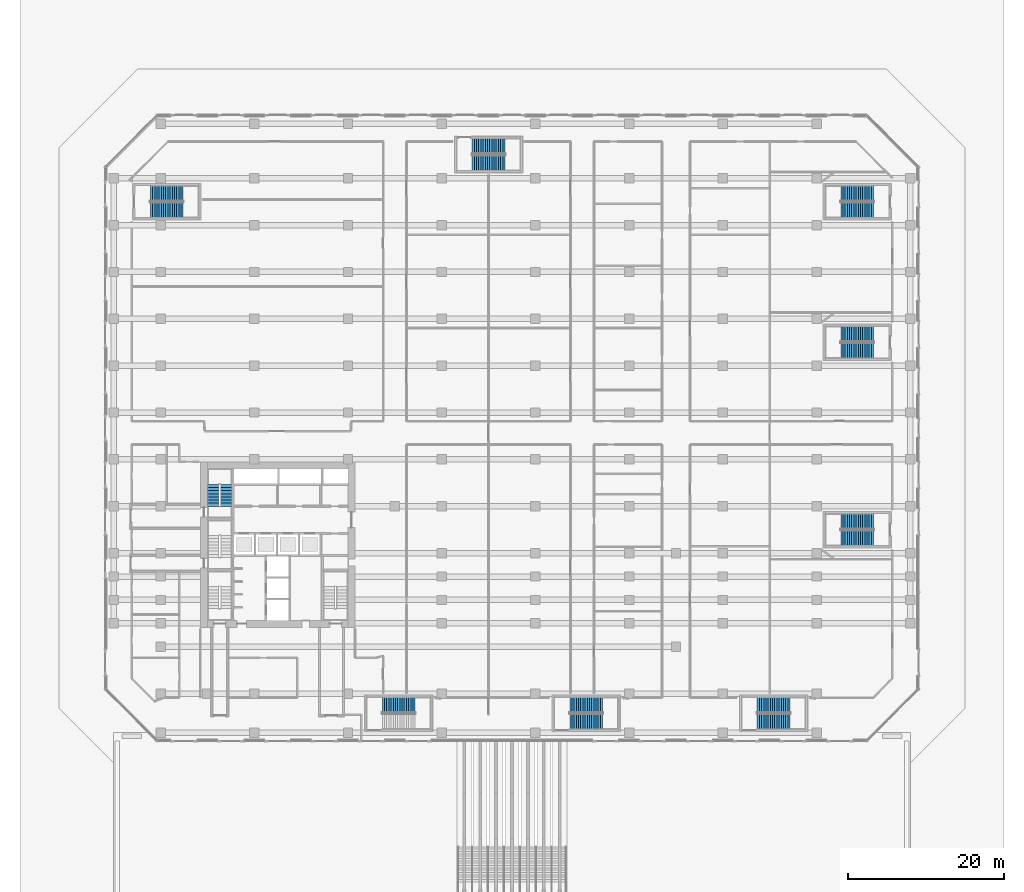
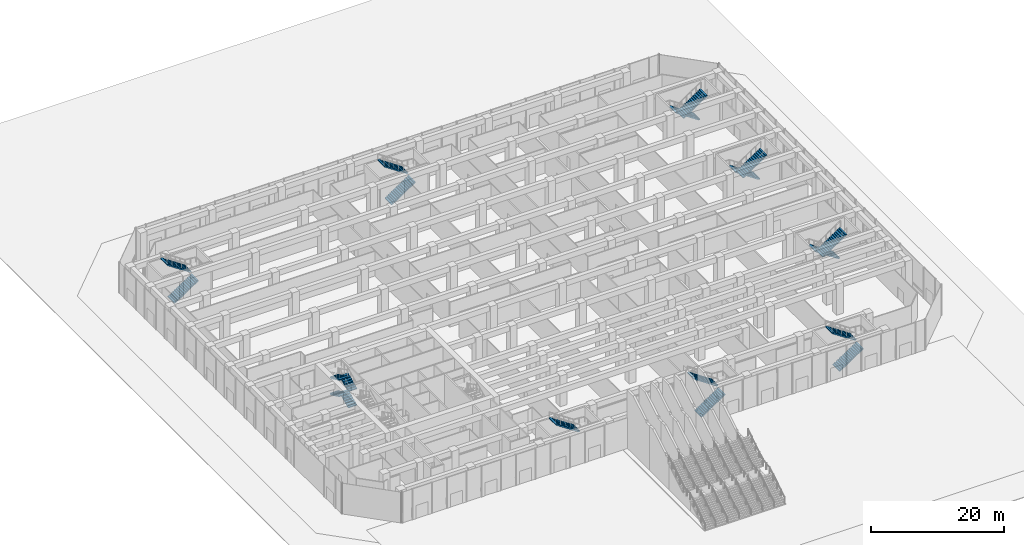
# One storey, part 26 of 32: 19 stair flights, 9 elements without a shape of their own.
"""IFC4 building model written with IfcOpenShell, lengths in metres."""

import ifcopenshell
import ifcopenshell.guid

model = None  # the IFC model being written
_history = None  # IfcOwnerHistory: only IFC2X3 demands one
_inside = {}  # id of a spatial element -> (the spatial element, [elements in it])
_under = {}  # id of a project, library or spatial element -> (it, [spatial elements below it])
_declared = {}  # id of a project -> (the project, [libraries it declares])
_typed = {}  # id of a type object -> (the type object, [elements of that type])
_made_of = {}  # id of a material, layer set ... -> (it, [elements and type objects made of it])


def new_model(schema):
    """Start an empty IFC model of exactly this schema.

    Asked for "IFC4X3", IfcOpenShell would pick the latest addendum, in which some entities
    have other attributes; the version numbers below select the first issue.
    IFC2X3 requires an IfcOwnerHistory on every rooted entity: one is made here for all.
    """
    global model, _history
    if schema == "IFC4X3":
        model = ifcopenshell.file(schema_version=(4, 3, 0, 0))
    else:
        model = ifcopenshell.file(schema=schema)
    _inside.clear()
    _under.clear()
    _declared.clear()
    _typed.clear()
    _made_of.clear()
    _history = None
    if model.schema == "IFC2X3":
        org = make("IfcOrganization", Name="unknown")
        user = make(
            "IfcPersonAndOrganization",
            ThePerson=make("IfcPerson", FamilyName="unknown"),
            TheOrganization=org,
        )
        app = make(
            "IfcApplication",
            ApplicationDeveloper=org,
            Version="unknown",
            ApplicationFullName="unknown",
            ApplicationIdentifier="unknown",
        )
        _history = make(
            "IfcOwnerHistory",
            OwningUser=user,
            OwningApplication=app,
            ChangeAction="ADDED",
            CreationDate=0,
        )
    return model


def make(cls, **values):
    """One entity of the class cls with the attributes given. An attribute that is None is left unset."""
    return model.create_entity(
        cls, **{name: value for name, value in values.items() if value is not None}
    )


def rooted(cls, **values):
    """An entity with a GlobalId (a new one), such as an element, a storey or a relation."""
    return make(cls, GlobalId=ifcopenshell.guid.new(), OwnerHistory=_history, **values)


def si_unit(unit_type, name, prefix=None):
    """IfcSIUnit, for example si_unit("LENGTHUNIT", "METRE", prefix="MILLI")."""
    return make("IfcSIUnit", UnitType=unit_type, Prefix=prefix, Name=name)


def assignment(units):
    """IfcUnitAssignment: the units of a project."""
    return None if units is None else make("IfcUnitAssignment", Units=units)


def point(xyz):
    """IfcCartesianPoint."""
    return None if xyz is None else make("IfcCartesianPoint", Coordinates=xyz)


def direction(xyz):
    """IfcDirection."""
    return None if xyz is None else make("IfcDirection", DirectionRatios=xyz)


def frame(location, z_axis=None, x_axis=None):
    """IfcAxis2Placement3D, a coordinate frame: its origin and axes. An axis left out is left unset."""
    return make(
        "IfcAxis2Placement3D",
        Location=point(location),
        Axis=direction(z_axis),
        RefDirection=direction(x_axis),
    )


def origin():
    """The frame at (0, 0, 0) with its axes left unset."""
    return frame((0.0, 0.0, 0.0))


def place(relative_to, where):
    """IfcLocalPlacement: puts the frame where relative to a parent placement (None: the world)."""
    return make(
        "IfcLocalPlacement", PlacementRelTo=relative_to, RelativePlacement=where
    )


def context(
    kind, dimensions, precision=None, world=None, true_north=None, identifier=None
):
    """IfcGeometricRepresentationContext, for example the 3D "Model" context."""
    return make(
        "IfcGeometricRepresentationContext",
        ContextIdentifier=identifier,
        ContextType=kind,
        CoordinateSpaceDimension=dimensions,
        Precision=precision,
        WorldCoordinateSystem=world,
        TrueNorth=true_north,
    )


def subcontext(parent, identifier, kind, view, scale=None):
    """IfcGeometricRepresentationSubContext, for example "Body" below "Model"."""
    return make(
        "IfcGeometricRepresentationSubContext",
        ContextIdentifier=identifier,
        ContextType=kind,
        ParentContext=parent,
        TargetScale=scale,
        TargetView=view,
    )


def project(units=None, contexts=None):
    """IfcProject with its units and contexts."""
    return rooted(
        "IfcProject",
        Name="project",
        RepresentationContexts=contexts,
        UnitsInContext=assignment(units),
    )


def spatial(cls, under=None, at=None, **own):
    """A site, building, storey or space (cls), placed at a placement, below another one or the project."""
    s = rooted(cls, ObjectPlacement=at, **own)
    if under is not None:
        _under.setdefault(under.id(), (under, []))[1].append(s)
    return s


def polyline(points):
    """IfcPolyline through the points."""
    return make("IfcPolyline", Points=[point(p) for p in points])


def outline(outer, holes=None, kind="AREA"):
    """IfcArbitraryClosedProfileDef: a profile drawn as a closed curve; with holes, ...WithVoids."""
    if holes is None:
        return make("IfcArbitraryClosedProfileDef", ProfileType=kind, OuterCurve=outer)
    return make(
        "IfcArbitraryProfileDefWithVoids",
        ProfileType=kind,
        OuterCurve=outer,
        InnerCurves=holes,
    )


def extrude(swept, where, along, depth):
    """IfcExtrudedAreaSolid: the profile swept, set in the frame where, extruded along a direction by depth."""
    return make(
        "IfcExtrudedAreaSolid",
        SweptArea=swept,
        Position=where,
        ExtrudedDirection=direction(along),
        Depth=depth,
    )


def shape(context_of_items, identifier, shape_type, items):
    """IfcShapeRepresentation: the items that make up one representation, for example the "Body"."""
    return make(
        "IfcShapeRepresentation",
        ContextOfItems=context_of_items,
        RepresentationIdentifier=identifier,
        RepresentationType=shape_type,
        Items=items,
    )


def material(Name=None, Category=None):
    """IfcMaterial."""
    return make("IfcMaterial", Name=Name, Category=Category)


def made_of(thing, what):
    """Note that an element or type object is made of a material, layer set ...; save() writes the relation."""
    if what is not None:
        _made_of.setdefault(what.id(), (what, []))[1].append(thing)
    return thing


def type_object(cls, material=None, **own):
    """A type object (cls), such as IfcWallType, which elements share."""
    return made_of(rooted(cls, **own), material)


def element(
    cls,
    number,
    at=None,
    inside=None,
    cuts=None,
    type_object=None,
    material=None,
    context=None,
    identifier="Body",
    shape_type=None,
    held_by="IfcProductDefinitionShape",
    body=None,
    shapes=None,
    **own,
):
    """One element of the class cls, such as IfcWall. Its Tag is "e" and its number.

    at: its placement. inside: the storey or other place that contains it. cuts: it is an
    opening in that element (IfcRelVoidsElement). A single representation is given by context,
    identifier, shape_type and body (its items); several are given by shapes. held_by: the class
    of the entity that holds the representations. save() writes the other relations.
    """
    e = rooted(cls, Tag="e%d" % number, ObjectPlacement=at, **own)
    if body is not None:
        shapes = [shape(context, identifier, shape_type, body)]
    if shapes is not None:
        e.Representation = make(held_by, Representations=shapes)
    if inside is not None:
        _inside.setdefault(inside.id(), (inside, []))[1].append(e)
    if cuts is not None:
        rooted(
            "IfcRelVoidsElement", RelatingBuildingElement=cuts, RelatedOpeningElement=e
        )
    if type_object is not None:
        _typed.setdefault(type_object.id(), (type_object, []))[1].append(e)
    return made_of(e, material)


def aggregate(whole, parts):
    """IfcRelAggregates: a whole, such as a stair, and the parts it consists of."""
    return rooted("IfcRelAggregates", RelatingObject=whole, RelatedObjects=parts)


def save(model, path):
    """Write the relations noted so far, then the file.

    IfcRelAggregates (storeys below a building ...), IfcRelContainedInSpatialStructure (elements
    in a storey), IfcRelDefinesByType, IfcRelAssociatesMaterial and IfcRelDeclares: one each for
    every whole, place, type object, material and project.
    """
    for whole, parts in _under.values():
        aggregate(whole, parts)
    for where, things in _inside.values():
        rooted(
            "IfcRelContainedInSpatialStructure",
            RelatedElements=things,
            RelatingStructure=where,
        )
    for kind, things in _typed.values():
        rooted("IfcRelDefinesByType", RelatedObjects=things, RelatingType=kind)
    for what, things in _made_of.values():
        rooted("IfcRelAssociatesMaterial", RelatedObjects=things, RelatingMaterial=what)
    for by, libraries in _declared.values():
        rooted("IfcRelDeclares", RelatingContext=by, RelatedDefinitions=libraries)
    model.write(path)


model = new_model("IFC4")

# Units and contexts
model_context = context("Model", 3, precision=1e-05, world=origin(), true_north=direction((0.0, 1.0)))
body_context = subcontext(model_context, "Body", "Model", "MODEL_VIEW")
ifc_project = project(units=[si_unit("LENGTHUNIT", "METRE"), si_unit("AREAUNIT", "SQUARE_METRE"), si_unit("VOLUMEUNIT", "CUBIC_METRE"), si_unit("PLANEANGLEUNIT", "RADIAN"), si_unit("MASSUNIT", "GRAM", prefix="KILO")], contexts=[model_context])

# Site, building, storey
site_placement = place(None, origin())
site = spatial("IfcSite", under=ifc_project, at=site_placement, CompositionType="ELEMENT")
building_placement = place(site_placement, origin())
building = spatial("IfcBuilding", under=site, at=building_placement, Name="Welwitschia Terrace Campus", CompositionType="ELEMENT")
storey_placement = place(building_placement, origin())
storey = spatial("IfcBuildingStorey", under=building, at=storey_placement, Name="L00", CompositionType="ELEMENT", Elevation=0.0)

# Stair, stair flights
ifc_material_1 = material(Name="Concrete C40/50", Category="concrete")
stair_type_1 = type_object("IfcStairType", Name="Stair 32R 188 W1500", PredefinedType="HALF_TURN_STAIR", material=ifc_material_1)
stair_1_placement = place(storey_placement, origin())
stair_1 = element("IfcStair", 1, at=stair_1_placement, inside=storey, type_object=stair_type_1, Name="L00 Exit stair S4", PredefinedType="HALF_TURN_STAIR")
ifc_material_2 = material(Name="Concrete C40/50", Category="concrete")
stair_flight_type_1 = type_object("IfcStairFlightType", Name="Stair flight 32R 188 W1500", PredefinedType="STRAIGHT", material=ifc_material_2)
stair_flight_1_placement = place(storey_placement, frame((8.39990234375, 20.0, 0.0), z_axis=(0.0, 0.0, 1.0), x_axis=(0.0, 1.0, 0.0)))
stair_flight_1 = element("IfcStairFlight", 2, at=stair_flight_1_placement, type_object=stair_flight_type_1, Name="S4 flight 1", NumberOfRisers=8, NumberOfTreads=7, PredefinedType="STRAIGHT", RiserHeight=0.1875, TreadLength=0.4, context=body_context, shape_type="SweptSolid", body=[
    extrude(outline(polyline([(0.0, 0.0), (0.0, 0.1875), (0.39990234375, 0.1875), (0.39990234375, 0.375), (0.800048828125, 0.375), (0.800048828125, 0.5625), (1.199951171875, 0.5625), (1.199951171875, 0.75), (1.60009765625, 0.75), (1.60009765625, 0.9375), (2.0, 0.9375), (2.0, 1.125), (2.39990234375, 1.125), (2.39990234375, 1.3125), (2.800048828125, 1.3125), (2.800048828125, 1.5), (2.800048828125, 1.14697265625), (0.353271484375, 0.0), (0.0, 0.0)])), frame((0.0, 0.75, 0.0), z_axis=(0.0, -1.0, 0.0), x_axis=(1.0, 0.0, 0.0)), (0.0, 0.0, 1.0), 1.5),
])
stair_flight_2_placement = place(storey_placement, frame((6.75, 22.800048828125, 1.5), z_axis=(0.0, 0.0, 1.0), x_axis=(0.0, -1.0, 0.0)))
stair_flight_2 = element("IfcStairFlight", 3, at=stair_flight_2_placement, type_object=stair_flight_type_1, Name="S4 flight 2", NumberOfRisers=8, NumberOfTreads=7, PredefinedType="STRAIGHT", RiserHeight=0.1875, TreadLength=0.4, context=body_context, shape_type="SweptSolid", body=[
    extrude(outline(polyline([(0.0, 0.0), (0.0, 0.1875), (0.39990234375, 0.1875), (0.39990234375, 0.375), (0.800048828125, 0.375), (0.800048828125, 0.5625), (1.199951171875, 0.5625), (1.199951171875, 0.75), (1.60009765625, 0.75), (1.60009765625, 0.9375), (2.0, 0.9375), (2.0, 1.125), (2.39990234375, 1.125), (2.39990234375, 1.3125), (2.800048828125, 1.3125), (2.800048828125, 1.5), (2.800048828125, 1.14697265625), (0.353271484375, 0.0), (0.0, 0.0)])), frame((0.0, 0.75, 0.0), z_axis=(0.0, -1.0, 0.0), x_axis=(1.0, 0.0, 0.0)), (0.0, 0.0, 1.0), 1.5),
])
stair_flight_3_placement = place(storey_placement, frame((8.39990234375, 20.0, 3.0), z_axis=(0.0, 0.0, 1.0), x_axis=(0.0, 1.0, 0.0)))
stair_flight_3 = element("IfcStairFlight", 4, at=stair_flight_3_placement, type_object=stair_flight_type_1, Name="S4 flight 3", NumberOfRisers=8, NumberOfTreads=7, PredefinedType="STRAIGHT", RiserHeight=0.1875, TreadLength=0.4, context=body_context, shape_type="SweptSolid", body=[
    extrude(outline(polyline([(0.0, 0.0), (0.0, 0.1875), (0.39990234375, 0.1875), (0.39990234375, 0.375), (0.800048828125, 0.375), (0.800048828125, 0.5625), (1.199951171875, 0.5625), (1.199951171875, 0.75), (1.60009765625, 0.75), (1.60009765625, 0.9375), (2.0, 0.9375), (2.0, 1.125), (2.39990234375, 1.125), (2.39990234375, 1.3125), (2.800048828125, 1.3125), (2.800048828125, 1.5), (2.800048828125, 1.14697265625), (0.353271484375, 0.0), (0.0, 0.0)])), frame((0.0, 0.75, 0.0), z_axis=(0.0, -1.0, 0.0), x_axis=(1.0, 0.0, 0.0)), (0.0, 0.0, 1.0), 1.5),
])
stair_flight_4_placement = place(storey_placement, frame((6.75, 22.800048828125, 4.5), z_axis=(0.0, 0.0, 1.0), x_axis=(0.0, -1.0, 0.0)))
stair_flight_4 = element("IfcStairFlight", 5, at=stair_flight_4_placement, type_object=stair_flight_type_1, Name="S4 flight 4", NumberOfRisers=8, NumberOfTreads=7, PredefinedType="STRAIGHT", RiserHeight=0.1875, TreadLength=0.4, context=body_context, shape_type="SweptSolid", body=[
    extrude(outline(polyline([(0.0, 0.0), (0.0, 0.1875), (0.39990234375, 0.1875), (0.39990234375, 0.375), (0.800048828125, 0.375), (0.800048828125, 0.5625), (1.199951171875, 0.5625), (1.199951171875, 0.75), (1.60009765625, 0.75), (1.60009765625, 0.9375), (2.0, 0.9375), (2.0, 1.125), (2.39990234375, 1.125), (2.39990234375, 1.3125), (2.800048828125, 1.3125), (2.800048828125, 1.5), (2.800048828125, 1.14697265625), (0.353271484375, 0.0), (0.0, 0.0)])), frame((0.0, 0.75, 0.0), z_axis=(0.0, -1.0, 0.0), x_axis=(1.0, 0.0, 0.0)), (0.0, 0.0, 1.0), 1.5),
])
aggregate(stair_1, [stair_flight_1, stair_flight_2, stair_flight_3, stair_flight_4])

# Stair, stair flight
ifc_material_3 = material(Name="Concrete C40/50", Category="concrete")
stair_type_2 = type_object("IfcStairType", Name="Stair 32R 188 W2000", PredefinedType="HALF_TURN_STAIR", material=ifc_material_3)
stair_2_placement = place(storey_placement, origin())
stair_2 = element("IfcStair", 6, at=stair_2_placement, inside=storey, type_object=stair_type_2, Name="L00 Podium stair P1", PredefinedType="HALF_TURN_STAIR")
ifc_material_4 = material(Name="Concrete C40/50", Category="concrete")
stair_flight_type_2 = type_object("IfcStairFlightType", Name="Stair flight 32R 188 W2000", PredefinedType="STRAIGHT", material=ifc_material_4)
stair_flight_5_placement = place(storey_placement, frame((32.60009765625, -5.425048828125, 3.0), z_axis=(0.0, 0.0, 1.0), x_axis=(-1.0, 0.0, 0.0)))
stair_flight_5 = element("IfcStairFlight", 7, at=stair_flight_5_placement, type_object=stair_flight_type_2, Name="P1 flight 2", NumberOfRisers=16, NumberOfTreads=15, PredefinedType="STRAIGHT", RiserHeight=0.1875, TreadLength=0.28, context=body_context, shape_type="SweptSolid", body=[
    extrude(outline(polyline([(0.0, 0.0), (0.0, 0.1875), (0.280029296875, 0.1875), (0.280029296875, 0.375), (0.56005859375, 0.375), (0.56005859375, 0.5625), (0.840087890625, 0.5625), (0.840087890625, 0.75), (1.1201171875, 0.75), (1.1201171875, 0.9375), (1.39990234375, 0.9375), (1.39990234375, 1.125), (1.679931640625, 1.125), (1.679931640625, 1.3125), (1.9599609375, 1.3125), (1.9599609375, 1.5), (2.239990234375, 1.5), (2.239990234375, 1.6875), (2.52001953125, 1.6875), (2.52001953125, 1.875), (2.800048828125, 1.875), (2.800048828125, 2.0625), (3.080078125, 2.0625), (3.080078125, 2.25), (3.360107421875, 2.25), (3.360107421875, 2.4375), (3.639892578125, 2.4375), (3.639892578125, 2.625), (3.919921875, 2.625), (3.919921875, 2.8125), (4.199951171875, 2.8125), (4.199951171875, 3.0), (4.199951171875, 2.632080078125), (0.26953125, 0.0), (0.0, 0.0)])), frame((0.0, 1.0, 0.0), z_axis=(0.0, -1.0, 0.0), x_axis=(1.0, 0.0, 0.0)), (0.0, 0.0, 1.0), 2.0),
])
aggregate(stair_2, [stair_flight_5])

# Stair, stair flights
stair_3_placement = place(storey_placement, origin())
stair_3 = element("IfcStair", 8, at=stair_3_placement, inside=storey, type_object=stair_type_2, Name="L00 Podium stair P2", PredefinedType="HALF_TURN_STAIR")
stair_flight_6_placement = place(storey_placement, frame((52.39990234375, -7.574951171875, 0.0), z_axis=(0.0, 0.0, 1.0), x_axis=(1.0, 0.0, 0.0)))
stair_flight_6 = element("IfcStairFlight", 9, at=stair_flight_6_placement, type_object=stair_flight_type_2, Name="P2 flight 1", NumberOfRisers=16, NumberOfTreads=15, PredefinedType="STRAIGHT", RiserHeight=0.1875, TreadLength=0.28, context=body_context, shape_type="SweptSolid", body=[
    extrude(outline(polyline([(0.0, 0.0), (0.0, 0.1875), (0.280029296875, 0.1875), (0.280029296875, 0.375), (0.56005859375, 0.375), (0.56005859375, 0.5625), (0.840087890625, 0.5625), (0.840087890625, 0.75), (1.1201171875, 0.75), (1.1201171875, 0.9375), (1.39990234375, 0.9375), (1.39990234375, 1.125), (1.679931640625, 1.125), (1.679931640625, 1.3125), (1.9599609375, 1.3125), (1.9599609375, 1.5), (2.239990234375, 1.5), (2.239990234375, 1.6875), (2.52001953125, 1.6875), (2.52001953125, 1.875), (2.800048828125, 1.875), (2.800048828125, 2.0625), (3.080078125, 2.0625), (3.080078125, 2.25), (3.360107421875, 2.25), (3.360107421875, 2.4375), (3.639892578125, 2.4375), (3.639892578125, 2.625), (3.919921875, 2.625), (3.919921875, 2.8125), (4.199951171875, 2.8125), (4.199951171875, 3.0), (4.199951171875, 2.632080078125), (0.26953125, 0.0), (0.0, 0.0)])), frame((0.0, 1.0, 0.0), z_axis=(0.0, -1.0, 0.0), x_axis=(1.0, 0.0, 0.0)), (0.0, 0.0, 1.0), 2.0),
])
stair_flight_7_placement = place(storey_placement, frame((56.60009765625, -5.425048828125, 3.0), z_axis=(0.0, 0.0, 1.0), x_axis=(-1.0, 0.0, 0.0)))
stair_flight_7 = element("IfcStairFlight", 10, at=stair_flight_7_placement, type_object=stair_flight_type_2, Name="P2 flight 2", NumberOfRisers=16, NumberOfTreads=15, PredefinedType="STRAIGHT", RiserHeight=0.1875, TreadLength=0.28, context=body_context, shape_type="SweptSolid", body=[
    extrude(outline(polyline([(0.0, 0.0), (0.0, 0.1875), (0.280029296875, 0.1875), (0.280029296875, 0.375), (0.56005859375, 0.375), (0.56005859375, 0.5625), (0.840087890625, 0.5625), (0.840087890625, 0.75), (1.1201171875, 0.75), (1.1201171875, 0.9375), (1.39990234375, 0.9375), (1.39990234375, 1.125), (1.679931640625, 1.125), (1.679931640625, 1.3125), (1.9599609375, 1.3125), (1.9599609375, 1.5), (2.239990234375, 1.5), (2.239990234375, 1.6875), (2.52001953125, 1.6875), (2.52001953125, 1.875), (2.800048828125, 1.875), (2.800048828125, 2.0625), (3.080078125, 2.0625), (3.080078125, 2.25), (3.360107421875, 2.25), (3.360107421875, 2.4375), (3.639892578125, 2.4375), (3.639892578125, 2.625), (3.919921875, 2.625), (3.919921875, 2.8125), (4.199951171875, 2.8125), (4.199951171875, 3.0), (4.199951171875, 2.632080078125), (0.26953125, 0.0), (0.0, 0.0)])), frame((0.0, 1.0, 0.0), z_axis=(0.0, -1.0, 0.0), x_axis=(1.0, 0.0, 0.0)), (0.0, 0.0, 1.0), 2.0),
])
aggregate(stair_3, [stair_flight_6, stair_flight_7])

stair_4_placement = place(storey_placement, origin())
stair_4 = element("IfcStair", 11, at=stair_4_placement, inside=storey, type_object=stair_type_2, Name="L00 Podium stair P3", PredefinedType="HALF_TURN_STAIR")
stair_flight_8_placement = place(storey_placement, frame((91.300048828125, 60.074951171875, 0.0), z_axis=(0.0, 0.0, 1.0), x_axis=(-1.0, 0.0, 0.0)))
stair_flight_8 = element("IfcStairFlight", 12, at=stair_flight_8_placement, type_object=stair_flight_type_2, Name="P3 flight 1", NumberOfRisers=16, NumberOfTreads=15, PredefinedType="STRAIGHT", RiserHeight=0.1875, TreadLength=0.28, context=body_context, shape_type="SweptSolid", body=[
    extrude(outline(polyline([(0.0, 0.0), (0.0, 0.1875), (0.280029296875, 0.1875), (0.280029296875, 0.375), (0.56005859375, 0.375), (0.56005859375, 0.5625), (0.840087890625, 0.5625), (0.840087890625, 0.75), (1.1201171875, 0.75), (1.1201171875, 0.9375), (1.39990234375, 0.9375), (1.39990234375, 1.125), (1.679931640625, 1.125), (1.679931640625, 1.3125), (1.9599609375, 1.3125), (1.9599609375, 1.5), (2.239990234375, 1.5), (2.239990234375, 1.6875), (2.52001953125, 1.6875), (2.52001953125, 1.875), (2.800048828125, 1.875), (2.800048828125, 2.0625), (3.080078125, 2.0625), (3.080078125, 2.25), (3.360107421875, 2.25), (3.360107421875, 2.4375), (3.639892578125, 2.4375), (3.639892578125, 2.625), (3.919921875, 2.625), (3.919921875, 2.8125), (4.199951171875, 2.8125), (4.199951171875, 3.0), (4.199951171875, 2.632080078125), (0.26953125, 0.0), (0.0, 0.0)])), frame((0.0, 1.0, 0.0), z_axis=(0.0, -1.0, 0.0), x_axis=(1.0, 0.0, 0.0)), (0.0, 0.0, 1.0), 2.0),
])
stair_flight_9_placement = place(storey_placement, frame((87.10009765625, 57.925048828125, 3.0), z_axis=(0.0, 0.0, 1.0), x_axis=(1.0, 0.0, 0.0)))
stair_flight_9 = element("IfcStairFlight", 13, at=stair_flight_9_placement, type_object=stair_flight_type_2, Name="P3 flight 2", NumberOfRisers=16, NumberOfTreads=15, PredefinedType="STRAIGHT", RiserHeight=0.1875, TreadLength=0.28, context=body_context, shape_type="SweptSolid", body=[
    extrude(outline(polyline([(0.0, 0.0), (0.0, 0.1875), (0.280029296875, 0.1875), (0.280029296875, 0.375), (0.56005859375, 0.375), (0.56005859375, 0.5625), (0.840087890625, 0.5625), (0.840087890625, 0.75), (1.1201171875, 0.75), (1.1201171875, 0.9375), (1.39990234375, 0.9375), (1.39990234375, 1.125), (1.679931640625, 1.125), (1.679931640625, 1.3125), (1.9599609375, 1.3125), (1.9599609375, 1.5), (2.239990234375, 1.5), (2.239990234375, 1.6875), (2.52001953125, 1.6875), (2.52001953125, 1.875), (2.800048828125, 1.875), (2.800048828125, 2.0625), (3.080078125, 2.0625), (3.080078125, 2.25), (3.360107421875, 2.25), (3.360107421875, 2.4375), (3.639892578125, 2.4375), (3.639892578125, 2.625), (3.919921875, 2.625), (3.919921875, 2.8125), (4.199951171875, 2.8125), (4.199951171875, 3.0), (4.199951171875, 2.632080078125), (0.26953125, 0.0), (0.0, 0.0)])), frame((0.0, 1.0, 0.0), z_axis=(0.0, -1.0, 0.0), x_axis=(1.0, 0.0, 0.0)), (0.0, 0.0, 1.0), 2.0),
])
aggregate(stair_4, [stair_flight_8, stair_flight_9])

stair_5_placement = place(storey_placement, origin())
stair_5 = element("IfcStair", 14, at=stair_5_placement, inside=storey, type_object=stair_type_2, Name="L00 Podium stair P4", PredefinedType="HALF_TURN_STAIR")
stair_flight_10_placement = place(storey_placement, frame((-1.300048828125, 57.925048828125, 0.0), z_axis=(0.0, 0.0, 1.0), x_axis=(1.0, 0.0, 0.0)))
stair_flight_10 = element("IfcStairFlight", 15, at=stair_flight_10_placement, type_object=stair_flight_type_2, Name="P4 flight 1", NumberOfRisers=16, NumberOfTreads=15, PredefinedType="STRAIGHT", RiserHeight=0.1875, TreadLength=0.28, context=body_context, shape_type="SweptSolid", body=[
    extrude(outline(polyline([(0.0, 0.0), (0.0, 0.1875), (0.280029296875, 0.1875), (0.280029296875, 0.375), (0.56005859375, 0.375), (0.56005859375, 0.5625), (0.840087890625, 0.5625), (0.840087890625, 0.75), (1.1201171875, 0.75), (1.1201171875, 0.9375), (1.39990234375, 0.9375), (1.39990234375, 1.125), (1.679931640625, 1.125), (1.679931640625, 1.3125), (1.9599609375, 1.3125), (1.9599609375, 1.5), (2.239990234375, 1.5), (2.239990234375, 1.6875), (2.52001953125, 1.6875), (2.52001953125, 1.875), (2.800048828125, 1.875), (2.800048828125, 2.0625), (3.080078125, 2.0625), (3.080078125, 2.25), (3.360107421875, 2.25), (3.360107421875, 2.4375), (3.639892578125, 2.4375), (3.639892578125, 2.625), (3.919921875, 2.625), (3.919921875, 2.8125), (4.199951171875, 2.8125), (4.199951171875, 3.0), (4.199951171875, 2.632080078125), (0.26953125, 0.0), (0.0, 0.0)])), frame((0.0, 1.0, 0.0), z_axis=(0.0, -1.0, 0.0), x_axis=(1.0, 0.0, 0.0)), (0.0, 0.0, 1.0), 2.0),
])
stair_flight_11_placement = place(storey_placement, frame((2.89990234375, 60.074951171875, 3.0), z_axis=(0.0, 0.0, 1.0), x_axis=(-1.0, 0.0, 0.0)))
stair_flight_11 = element("IfcStairFlight", 16, at=stair_flight_11_placement, type_object=stair_flight_type_2, Name="P4 flight 2", NumberOfRisers=16, NumberOfTreads=15, PredefinedType="STRAIGHT", RiserHeight=0.1875, TreadLength=0.28, context=body_context, shape_type="SweptSolid", body=[
    extrude(outline(polyline([(0.0, 0.0), (0.0, 0.1875), (0.280029296875, 0.1875), (0.280029296875, 0.375), (0.56005859375, 0.375), (0.56005859375, 0.5625), (0.840087890625, 0.5625), (0.840087890625, 0.75), (1.1201171875, 0.75), (1.1201171875, 0.9375), (1.39990234375, 0.9375), (1.39990234375, 1.125), (1.679931640625, 1.125), (1.679931640625, 1.3125), (1.9599609375, 1.3125), (1.9599609375, 1.5), (2.239990234375, 1.5), (2.239990234375, 1.6875), (2.52001953125, 1.6875), (2.52001953125, 1.875), (2.800048828125, 1.875), (2.800048828125, 2.0625), (3.080078125, 2.0625), (3.080078125, 2.25), (3.360107421875, 2.25), (3.360107421875, 2.4375), (3.639892578125, 2.4375), (3.639892578125, 2.625), (3.919921875, 2.625), (3.919921875, 2.8125), (4.199951171875, 2.8125), (4.199951171875, 3.0), (4.199951171875, 2.632080078125), (0.26953125, 0.0), (0.0, 0.0)])), frame((0.0, 1.0, 0.0), z_axis=(0.0, -1.0, 0.0), x_axis=(1.0, 0.0, 0.0)), (0.0, 0.0, 1.0), 2.0),
])
aggregate(stair_5, [stair_flight_10, stair_flight_11])

stair_6_placement = place(storey_placement, origin())
stair_6 = element("IfcStair", 17, at=stair_6_placement, inside=storey, type_object=stair_type_2, Name="L00 Podium stair P5", PredefinedType="HALF_TURN_STAIR")
stair_flight_12_placement = place(storey_placement, frame((76.39990234375, -7.574951171875, 0.0), z_axis=(0.0, 0.0, 1.0), x_axis=(1.0, 0.0, 0.0)))
stair_flight_12 = element("IfcStairFlight", 18, at=stair_flight_12_placement, type_object=stair_flight_type_2, Name="P5 flight 1", NumberOfRisers=16, NumberOfTreads=15, PredefinedType="STRAIGHT", RiserHeight=0.1875, TreadLength=0.28, context=body_context, shape_type="SweptSolid", body=[
    extrude(outline(polyline([(0.0, 0.0), (0.0, 0.1875), (0.280029296875, 0.1875), (0.280029296875, 0.375), (0.56005859375, 0.375), (0.56005859375, 0.5625), (0.840087890625, 0.5625), (0.840087890625, 0.75), (1.1201171875, 0.75), (1.1201171875, 0.9375), (1.39990234375, 0.9375), (1.39990234375, 1.125), (1.679931640625, 1.125), (1.679931640625, 1.3125), (1.9599609375, 1.3125), (1.9599609375, 1.5), (2.239990234375, 1.5), (2.239990234375, 1.6875), (2.52001953125, 1.6875), (2.52001953125, 1.875), (2.800048828125, 1.875), (2.800048828125, 2.0625), (3.080078125, 2.0625), (3.080078125, 2.25), (3.360107421875, 2.25), (3.360107421875, 2.4375), (3.639892578125, 2.4375), (3.639892578125, 2.625), (3.919921875, 2.625), (3.919921875, 2.8125), (4.199951171875, 2.8125), (4.199951171875, 3.0), (4.199951171875, 2.632080078125), (0.26953125, 0.0), (0.0, 0.0)])), frame((0.0, 1.0, 0.0), z_axis=(0.0, -1.0, 0.0), x_axis=(1.0, 0.0, 0.0)), (0.0, 0.0, 1.0), 2.0),
])
stair_flight_13_placement = place(storey_placement, frame((80.60009765625, -5.425048828125, 3.0), z_axis=(0.0, 0.0, 1.0), x_axis=(-1.0, 0.0, 0.0)))
stair_flight_13 = element("IfcStairFlight", 19, at=stair_flight_13_placement, type_object=stair_flight_type_2, Name="P5 flight 2", NumberOfRisers=16, NumberOfTreads=15, PredefinedType="STRAIGHT", RiserHeight=0.1875, TreadLength=0.28, context=body_context, shape_type="SweptSolid", body=[
    extrude(outline(polyline([(0.0, 0.0), (0.0, 0.1875), (0.280029296875, 0.1875), (0.280029296875, 0.375), (0.56005859375, 0.375), (0.56005859375, 0.5625), (0.840087890625, 0.5625), (0.840087890625, 0.75), (1.1201171875, 0.75), (1.1201171875, 0.9375), (1.39990234375, 0.9375), (1.39990234375, 1.125), (1.679931640625, 1.125), (1.679931640625, 1.3125), (1.9599609375, 1.3125), (1.9599609375, 1.5), (2.239990234375, 1.5), (2.239990234375, 1.6875), (2.52001953125, 1.6875), (2.52001953125, 1.875), (2.800048828125, 1.875), (2.800048828125, 2.0625), (3.080078125, 2.0625), (3.080078125, 2.25), (3.360107421875, 2.25), (3.360107421875, 2.4375), (3.639892578125, 2.4375), (3.639892578125, 2.625), (3.919921875, 2.625), (3.919921875, 2.8125), (4.199951171875, 2.8125), (4.199951171875, 3.0), (4.199951171875, 2.632080078125), (0.26953125, 0.0), (0.0, 0.0)])), frame((0.0, 1.0, 0.0), z_axis=(0.0, -1.0, 0.0), x_axis=(1.0, 0.0, 0.0)), (0.0, 0.0, 1.0), 2.0),
])
aggregate(stair_6, [stair_flight_12, stair_flight_13])

stair_7_placement = place(storey_placement, origin())
stair_7 = element("IfcStair", 20, at=stair_7_placement, inside=storey, type_object=stair_type_2, Name="L00 Podium stair P6", PredefinedType="HALF_TURN_STAIR")
stair_flight_14_placement = place(storey_placement, frame((91.300048828125, 18.074951171875, 0.0), z_axis=(0.0, 0.0, 1.0), x_axis=(-1.0, 0.0, 0.0)))
stair_flight_14 = element("IfcStairFlight", 21, at=stair_flight_14_placement, type_object=stair_flight_type_2, Name="P6 flight 1", NumberOfRisers=16, NumberOfTreads=15, PredefinedType="STRAIGHT", RiserHeight=0.1875, TreadLength=0.28, context=body_context, shape_type="SweptSolid", body=[
    extrude(outline(polyline([(0.0, 0.0), (0.0, 0.1875), (0.280029296875, 0.1875), (0.280029296875, 0.375), (0.56005859375, 0.375), (0.56005859375, 0.5625), (0.840087890625, 0.5625), (0.840087890625, 0.75), (1.1201171875, 0.75), (1.1201171875, 0.9375), (1.39990234375, 0.9375), (1.39990234375, 1.125), (1.679931640625, 1.125), (1.679931640625, 1.3125), (1.9599609375, 1.3125), (1.9599609375, 1.5), (2.239990234375, 1.5), (2.239990234375, 1.6875), (2.52001953125, 1.6875), (2.52001953125, 1.875), (2.800048828125, 1.875), (2.800048828125, 2.0625), (3.080078125, 2.0625), (3.080078125, 2.25), (3.360107421875, 2.25), (3.360107421875, 2.4375), (3.639892578125, 2.4375), (3.639892578125, 2.625), (3.919921875, 2.625), (3.919921875, 2.8125), (4.199951171875, 2.8125), (4.199951171875, 3.0), (4.199951171875, 2.632080078125), (0.26953125, 0.0), (0.0, 0.0)])), frame((0.0, 1.0, 0.0), z_axis=(0.0, -1.0, 0.0), x_axis=(1.0, 0.0, 0.0)), (0.0, 0.0, 1.0), 2.0),
])
stair_flight_15_placement = place(storey_placement, frame((87.10009765625, 15.925048828125, 3.0), z_axis=(0.0, 0.0, 1.0), x_axis=(1.0, 0.0, 0.0)))
stair_flight_15 = element("IfcStairFlight", 22, at=stair_flight_15_placement, type_object=stair_flight_type_2, Name="P6 flight 2", NumberOfRisers=16, NumberOfTreads=15, PredefinedType="STRAIGHT", RiserHeight=0.1875, TreadLength=0.28, context=body_context, shape_type="SweptSolid", body=[
    extrude(outline(polyline([(0.0, 0.0), (0.0, 0.1875), (0.280029296875, 0.1875), (0.280029296875, 0.375), (0.56005859375, 0.375), (0.56005859375, 0.5625), (0.840087890625, 0.5625), (0.840087890625, 0.75), (1.1201171875, 0.75), (1.1201171875, 0.9375), (1.39990234375, 0.9375), (1.39990234375, 1.125), (1.679931640625, 1.125), (1.679931640625, 1.3125), (1.9599609375, 1.3125), (1.9599609375, 1.5), (2.239990234375, 1.5), (2.239990234375, 1.6875), (2.52001953125, 1.6875), (2.52001953125, 1.875), (2.800048828125, 1.875), (2.800048828125, 2.0625), (3.080078125, 2.0625), (3.080078125, 2.25), (3.360107421875, 2.25), (3.360107421875, 2.4375), (3.639892578125, 2.4375), (3.639892578125, 2.625), (3.919921875, 2.625), (3.919921875, 2.8125), (4.199951171875, 2.8125), (4.199951171875, 3.0), (4.199951171875, 2.632080078125), (0.26953125, 0.0), (0.0, 0.0)])), frame((0.0, 1.0, 0.0), z_axis=(0.0, -1.0, 0.0), x_axis=(1.0, 0.0, 0.0)), (0.0, 0.0, 1.0), 2.0),
])
aggregate(stair_7, [stair_flight_14, stair_flight_15])

stair_8_placement = place(storey_placement, origin())
stair_8 = element("IfcStair", 23, at=stair_8_placement, inside=storey, type_object=stair_type_2, Name="L00 Podium stair P7", PredefinedType="HALF_TURN_STAIR")
stair_flight_16_placement = place(storey_placement, frame((39.89990234375, 63.97509765625, 0.0), z_axis=(0.0, 0.0, 1.0), x_axis=(1.0, 0.0, 0.0)))
stair_flight_16 = element("IfcStairFlight", 24, at=stair_flight_16_placement, type_object=stair_flight_type_2, Name="P7 flight 1", NumberOfRisers=16, NumberOfTreads=15, PredefinedType="STRAIGHT", RiserHeight=0.1875, TreadLength=0.28, context=body_context, shape_type="SweptSolid", body=[
    extrude(outline(polyline([(0.0, 0.0), (0.0, 0.1875), (0.280029296875, 0.1875), (0.280029296875, 0.375), (0.56005859375, 0.375), (0.56005859375, 0.5625), (0.840087890625, 0.5625), (0.840087890625, 0.75), (1.1201171875, 0.75), (1.1201171875, 0.9375), (1.39990234375, 0.9375), (1.39990234375, 1.125), (1.679931640625, 1.125), (1.679931640625, 1.3125), (1.9599609375, 1.3125), (1.9599609375, 1.5), (2.239990234375, 1.5), (2.239990234375, 1.6875), (2.52001953125, 1.6875), (2.52001953125, 1.875), (2.800048828125, 1.875), (2.800048828125, 2.0625), (3.080078125, 2.0625), (3.080078125, 2.25), (3.360107421875, 2.25), (3.360107421875, 2.4375), (3.639892578125, 2.4375), (3.639892578125, 2.625), (3.919921875, 2.625), (3.919921875, 2.8125), (4.199951171875, 2.8125), (4.199951171875, 3.0), (4.199951171875, 2.632080078125), (0.26953125, 0.0), (0.0, 0.0)])), frame((0.0, 1.0, 0.0), z_axis=(0.0, -1.0, 0.0), x_axis=(1.0, 0.0, 0.0)), (0.0, 0.0, 1.0), 2.0),
])
stair_flight_17_placement = place(storey_placement, frame((44.10009765625, 66.125, 3.0), z_axis=(0.0, 0.0, 1.0), x_axis=(-1.0, 0.0, 0.0)))
stair_flight_17 = element("IfcStairFlight", 25, at=stair_flight_17_placement, type_object=stair_flight_type_2, Name="P7 flight 2", NumberOfRisers=16, NumberOfTreads=15, PredefinedType="STRAIGHT", RiserHeight=0.1875, TreadLength=0.28, context=body_context, shape_type="SweptSolid", body=[
    extrude(outline(polyline([(0.0, 0.0), (0.0, 0.1875), (0.280029296875, 0.1875), (0.280029296875, 0.375), (0.56005859375, 0.375), (0.56005859375, 0.5625), (0.840087890625, 0.5625), (0.840087890625, 0.75), (1.1201171875, 0.75), (1.1201171875, 0.9375), (1.39990234375, 0.9375), (1.39990234375, 1.125), (1.679931640625, 1.125), (1.679931640625, 1.3125), (1.9599609375, 1.3125), (1.9599609375, 1.5), (2.239990234375, 1.5), (2.239990234375, 1.6875), (2.52001953125, 1.6875), (2.52001953125, 1.875), (2.800048828125, 1.875), (2.800048828125, 2.0625), (3.080078125, 2.0625), (3.080078125, 2.25), (3.360107421875, 2.25), (3.360107421875, 2.4375), (3.639892578125, 2.4375), (3.639892578125, 2.625), (3.919921875, 2.625), (3.919921875, 2.8125), (4.199951171875, 2.8125), (4.199951171875, 3.0), (4.199951171875, 2.632080078125), (0.26953125, 0.0), (0.0, 0.0)])), frame((0.0, 1.0, 0.0), z_axis=(0.0, -1.0, 0.0), x_axis=(1.0, 0.0, 0.0)), (0.0, 0.0, 1.0), 2.0),
])
aggregate(stair_8, [stair_flight_16, stair_flight_17])

stair_9_placement = place(storey_placement, origin())
stair_9 = element("IfcStair", 26, at=stair_9_placement, inside=storey, type_object=stair_type_2, Name="L00 Podium stair P8", PredefinedType="HALF_TURN_STAIR")
stair_flight_18_placement = place(storey_placement, frame((91.300048828125, 42.074951171875, 0.0), z_axis=(0.0, 0.0, 1.0), x_axis=(-1.0, 0.0, 0.0)))
stair_flight_18 = element("IfcStairFlight", 27, at=stair_flight_18_placement, type_object=stair_flight_type_2, Name="P8 flight 1", NumberOfRisers=16, NumberOfTreads=15, PredefinedType="STRAIGHT", RiserHeight=0.1875, TreadLength=0.28, context=body_context, shape_type="SweptSolid", body=[
    extrude(outline(polyline([(0.0, 0.0), (0.0, 0.1875), (0.280029296875, 0.1875), (0.280029296875, 0.375), (0.56005859375, 0.375), (0.56005859375, 0.5625), (0.840087890625, 0.5625), (0.840087890625, 0.75), (1.1201171875, 0.75), (1.1201171875, 0.9375), (1.39990234375, 0.9375), (1.39990234375, 1.125), (1.679931640625, 1.125), (1.679931640625, 1.3125), (1.9599609375, 1.3125), (1.9599609375, 1.5), (2.239990234375, 1.5), (2.239990234375, 1.6875), (2.52001953125, 1.6875), (2.52001953125, 1.875), (2.800048828125, 1.875), (2.800048828125, 2.0625), (3.080078125, 2.0625), (3.080078125, 2.25), (3.360107421875, 2.25), (3.360107421875, 2.4375), (3.639892578125, 2.4375), (3.639892578125, 2.625), (3.919921875, 2.625), (3.919921875, 2.8125), (4.199951171875, 2.8125), (4.199951171875, 3.0), (4.199951171875, 2.632080078125), (0.26953125, 0.0), (0.0, 0.0)])), frame((0.0, 1.0, 0.0), z_axis=(0.0, -1.0, 0.0), x_axis=(1.0, 0.0, 0.0)), (0.0, 0.0, 1.0), 2.0),
])
stair_flight_19_placement = place(storey_placement, frame((87.10009765625, 39.925048828125, 3.0), z_axis=(0.0, 0.0, 1.0), x_axis=(1.0, 0.0, 0.0)))
stair_flight_19 = element("IfcStairFlight", 28, at=stair_flight_19_placement, type_object=stair_flight_type_2, Name="P8 flight 2", NumberOfRisers=16, NumberOfTreads=15, PredefinedType="STRAIGHT", RiserHeight=0.1875, TreadLength=0.28, context=body_context, shape_type="SweptSolid", body=[
    extrude(outline(polyline([(0.0, 0.0), (0.0, 0.1875), (0.280029296875, 0.1875), (0.280029296875, 0.375), (0.56005859375, 0.375), (0.56005859375, 0.5625), (0.840087890625, 0.5625), (0.840087890625, 0.75), (1.1201171875, 0.75), (1.1201171875, 0.9375), (1.39990234375, 0.9375), (1.39990234375, 1.125), (1.679931640625, 1.125), (1.679931640625, 1.3125), (1.9599609375, 1.3125), (1.9599609375, 1.5), (2.239990234375, 1.5), (2.239990234375, 1.6875), (2.52001953125, 1.6875), (2.52001953125, 1.875), (2.800048828125, 1.875), (2.800048828125, 2.0625), (3.080078125, 2.0625), (3.080078125, 2.25), (3.360107421875, 2.25), (3.360107421875, 2.4375), (3.639892578125, 2.4375), (3.639892578125, 2.625), (3.919921875, 2.625), (3.919921875, 2.8125), (4.199951171875, 2.8125), (4.199951171875, 3.0), (4.199951171875, 2.632080078125), (0.26953125, 0.0), (0.0, 0.0)])), frame((0.0, 1.0, 0.0), z_axis=(0.0, -1.0, 0.0), x_axis=(1.0, 0.0, 0.0)), (0.0, 0.0, 1.0), 2.0),
])
aggregate(stair_9, [stair_flight_18, stair_flight_19])

save(model, "model.ifc")
